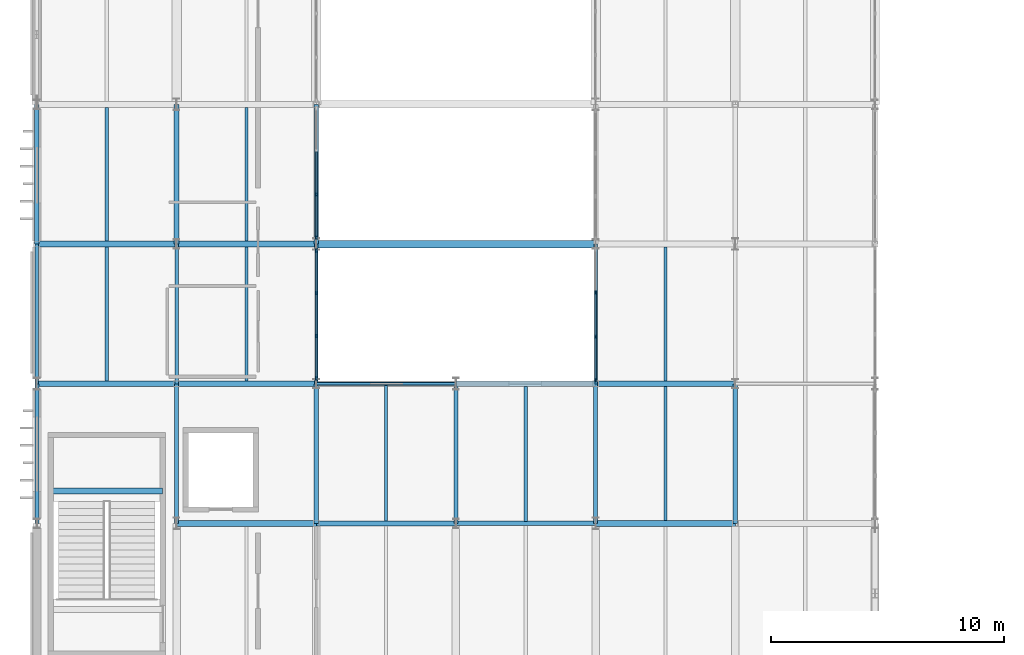
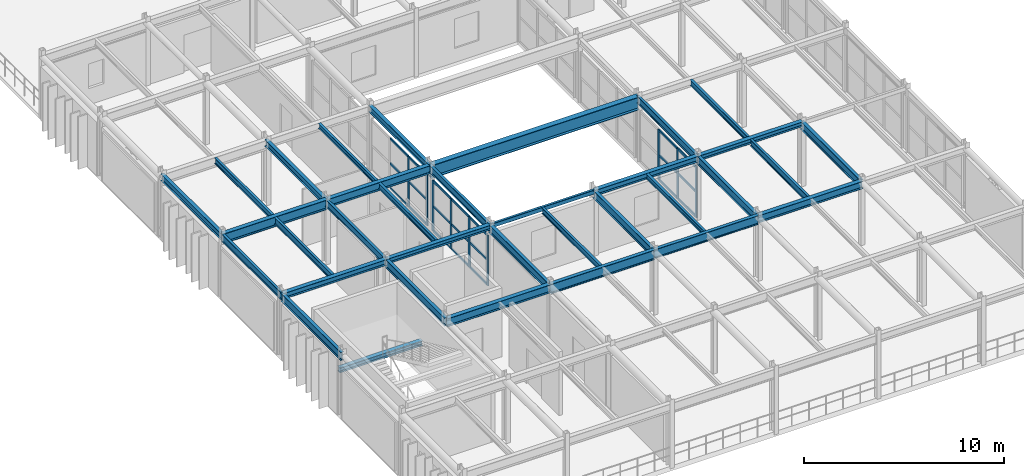
# One storey, part 13 of 83: 34 beams, 30 members, 3 elements without a shape of their own.
"""IFC4 building model written with IfcOpenShell, lengths in metres."""

from ifc_helpers import new_model, si_unit, direction, frame, origin, origin_2d, place, context, subcontext, project, spatial, rectangle, hollow_rectangle, i_section, extrude, material, material_profile, profile_set, type_object, element, aggregate, save


model = new_model("IFC4")

# Units and contexts
model_context = context("Model", 3, precision=1e-05, world=origin(), true_north=direction((0.0, 1.0)))
body_context = subcontext(model_context, "Body", "Model", "MODEL_VIEW")
ifc_project = project(units=[si_unit("LENGTHUNIT", "METRE"), si_unit("AREAUNIT", "SQUARE_METRE"), si_unit("VOLUMEUNIT", "CUBIC_METRE"), si_unit("PLANEANGLEUNIT", "RADIAN"), si_unit("MASSUNIT", "GRAM", prefix="KILO")], contexts=[model_context])

# Site, building, storey
site_placement = place(None, origin())
site = spatial("IfcSite", under=ifc_project, at=site_placement, CompositionType="ELEMENT")
building_placement = place(site_placement, origin())
building = spatial("IfcBuilding", under=site, at=building_placement, Name="Varnakota Square Police Headquarters", CompositionType="ELEMENT")
storey_placement = place(building_placement, frame((0.0, 0.0, 18.0)))
storey = spatial("IfcBuildingStorey", under=building, at=storey_placement, Name="L04", CompositionType="ELEMENT", Elevation=18.0)

# Beams
ifc_material_1 = material(Name="Steel IS 2062 Grade 350", Category="steel")
ifc_material_profile_1 = material_profile(ifc_material_1, i_section(OverallWidth=0.320068359375, OverallDepth=0.800048828125, WebThickness=0.01611328125, FlangeThickness=0.028076171875, at=origin_2d()), Name="BPG 800x320")
ifc_profile_set_1 = profile_set([ifc_material_profile_1], Name="Steel IS 2062 Grade 350")
beam_type_1 = type_object("IfcBeamType", Name="BM-BPG800", PredefinedType="BEAM", material=ifc_profile_set_1)
beam_1_placement = place(storey_placement, frame((18.0, 45.0, 3.5), z_axis=(1.0, 0.0, 0.0), x_axis=(0.0, 1.0, 0.0)))
element("IfcBeam", 1, at=beam_1_placement, inside=storey, type_object=beam_type_1, Name="BMG-L04-2907", PredefinedType="BEAM", context=body_context, shape_type="SweptSolid", body=[
    extrude(i_section(OverallWidth=0.320068359375, OverallDepth=0.800048828125, WebThickness=0.01611328125, FlangeThickness=0.028076171875, at=origin_2d()), origin(), (0.0, 0.0, 1.0), 12.0),
])
ifc_material_profile_2 = material_profile(ifc_material_1, hollow_rectangle(XDim=0.14990234375, YDim=0.25, WallThickness=0.010009765625, InnerFilletRadius=0.010009765625, OuterFilletRadius=0.02001953125, at=origin_2d()), Name="RHS 250x150x10")
ifc_profile_set_2 = profile_set([ifc_material_profile_2], Name="Steel IS 2062 Grade 350")
beam_type_2 = type_object("IfcBeamType", Name="BM-CBEAM-RHS250", PredefinedType="BEAM", material=ifc_profile_set_2)
beam_2_placement = place(storey_placement, frame((18.0, 39.0, 3.77490234375), z_axis=(1.0, 0.0, 0.0), x_axis=(0.0, 1.0, 0.0)))
element("IfcBeam", 2, at=beam_2_placement, inside=storey, type_object=beam_type_2, Name="BMG-L04-2897", PredefinedType="BEAM", context=body_context, shape_type="SweptSolid", body=[
    extrude(hollow_rectangle(XDim=0.14990234375, YDim=0.25, WallThickness=0.010009765625, InnerFilletRadius=0.010009765625, OuterFilletRadius=0.02001953125, at=origin_2d()), origin(), (0.0, 0.0, 1.0), 6.0),
])
ifc_material_profile_3 = material_profile(ifc_material_1, i_section(OverallWidth=0.25, OverallDepth=0.300048828125, WebThickness=0.009521484375, FlangeThickness=0.010498046875, FilletRadius=0.011962890625, at=origin_2d()), Name="ISHB 300")
ifc_profile_set_3 = profile_set([ifc_material_profile_3], Name="Steel IS 2062 Grade 350")
beam_type_3 = type_object("IfcBeamType", Name="BM-ISHB300", PredefinedType="BEAM", material=ifc_profile_set_3)
for number, where, z_axis, x_axis, name in (
    (3, (12.0, 39.0, 3.75), (1.0, 0.0, 0.0), (0.0, 1.0, 0.0), "BMG-L04-2896"),
    (4, (30.0, 39.0, 3.75), (1.0, 0.0, 0.0), (0.0, 1.0, 0.0), "BMG-L04-2899"),
):
    element("IfcBeam", number, at=place(storey_placement, frame(where, z_axis=z_axis, x_axis=x_axis)), inside=storey, type_object=beam_type_3, Name=name, PredefinedType="BEAM", context=body_context, shape_type="SweptSolid", body=[
        extrude(i_section(OverallWidth=0.25, OverallDepth=0.300048828125, WebThickness=0.009521484375, FlangeThickness=0.010498046875, FilletRadius=0.011962890625, at=origin_2d()), origin(), (0.0, 0.0, 1.0), 6.0),
    ])
beam_3_placement = place(storey_placement, frame((6.60009765625, 34.400634765625, 1.783935546875), z_axis=(1.0, 0.0, 0.0), x_axis=(0.0, 1.0, 0.0)))
element("IfcBeam", 5, at=beam_3_placement, inside=storey, type_object=beam_type_3, Name="Stair landing support beam BM-LND-0055", PredefinedType="BEAM", context=body_context, shape_type="SweptSolid", body=[
    extrude(i_section(OverallWidth=0.25, OverallDepth=0.300048828125, WebThickness=0.009521484375, FlangeThickness=0.010498046875, FilletRadius=0.011962890625, at=origin_2d()), origin(), (0.0, 0.0, 1.0), 4.7998046875),
])
ifc_material_profile_4 = material_profile(ifc_material_1, i_section(OverallWidth=0.25, OverallDepth=0.35009765625, WebThickness=0.010009765625, FlangeThickness=0.01171875, FilletRadius=0.011962890625, at=origin_2d()), Name="ISHB 350")
ifc_profile_set_4 = profile_set([ifc_material_profile_4], Name="Steel IS 2062 Grade 350")
beam_type_4 = type_object("IfcBeamType", Name="BM-ISHB350", PredefinedType="BEAM", material=ifc_profile_set_4)
for number, where, z_axis, x_axis, name in (
    (6, (6.0, 39.0, 3.72509765625), (1.0, 0.0, 0.0), (0.0, 1.0, 0.0), "BMG-L04-2895"),
    (7, (24.0, 39.0, 3.72509765625), (1.0, 0.0, 0.0), (0.0, 1.0, 0.0), "BMG-L04-2898"),
):
    element("IfcBeam", number, at=place(storey_placement, frame(where, z_axis=z_axis, x_axis=x_axis)), inside=storey, type_object=beam_type_4, Name=name, PredefinedType="BEAM", context=body_context, shape_type="SweptSolid", body=[
        extrude(i_section(OverallWidth=0.25, OverallDepth=0.35009765625, WebThickness=0.010009765625, FlangeThickness=0.01171875, FilletRadius=0.011962890625, at=origin_2d()), origin(), (0.0, 0.0, 1.0), 6.0),
    ])
ifc_material_profile_5 = material_profile(ifc_material_1, i_section(OverallWidth=0.25, OverallDepth=0.449951171875, WebThickness=0.01123046875, FlangeThickness=0.013671875, FilletRadius=0.014892578125, at=origin_2d()), Name="ISHB 450")
ifc_profile_set_5 = profile_set([ifc_material_profile_5], Name="Steel IS 2062 Grade 350")
beam_type_5 = type_object("IfcBeamType", Name="BM-ISHB450", PredefinedType="BEAM", material=ifc_profile_set_5)
beam_4_placement = place(storey_placement, frame((30.0, 33.0, 3.675048828125), z_axis=(1.0, 0.0, 0.0), x_axis=(0.0, 1.0, 0.0)))
element("IfcBeam", 8, at=beam_4_placement, inside=storey, type_object=beam_type_5, Name="BMG-L04-2890", PredefinedType="BEAM", context=body_context, shape_type="SweptSolid", body=[
    extrude(i_section(OverallWidth=0.25, OverallDepth=0.449951171875, WebThickness=0.01123046875, FlangeThickness=0.013671875, FilletRadius=0.014892578125, at=origin_2d()), origin(), (0.0, 0.0, 1.0), 6.0),
])
ifc_material_profile_6 = material_profile(ifc_material_1, i_section(OverallWidth=0.139892578125, OverallDepth=0.300048828125, WebThickness=0.0078125, FlangeThickness=0.01318359375, FilletRadius=0.013916015625, at=origin_2d()), Name="ISMB 300")
ifc_profile_set_6 = profile_set([ifc_material_profile_6], Name="Steel IS 2062 Grade 350")
beam_type_6 = type_object("IfcBeamType", Name="BM-ISMB300", PredefinedType="JOIST", material=ifc_profile_set_6)
beam_5_placement = place(storey_placement, frame((15.0, 45.123046875, 3.75), z_axis=(0.0, 1.0, 0.0), x_axis=(-1.0, 0.0, 0.0)))
element("IfcBeam", 9, at=beam_5_placement, inside=storey, type_object=beam_type_6, Name="BMG-L04-3030", PredefinedType="JOIST", context=body_context, shape_type="SweptSolid", body=[
    extrude(i_section(OverallWidth=0.139892578125, OverallDepth=0.300048828125, WebThickness=0.0078125, FlangeThickness=0.01318359375, FilletRadius=0.013916015625, at=origin_2d()), origin(), (0.0, 0.0, 1.0), 5.75390625),
])
beam_6_placement = place(storey_placement, frame((27.0, 33.093017578125, 3.75), z_axis=(0.0, 1.0, 0.0), x_axis=(-1.0, 0.0, 0.0)))
element("IfcBeam", 10, at=beam_6_placement, inside=storey, type_object=beam_type_6, Name="BMG-L04-3039", PredefinedType="JOIST", context=body_context, shape_type="SweptSolid", body=[
    extrude(i_section(OverallWidth=0.139892578125, OverallDepth=0.300048828125, WebThickness=0.0078125, FlangeThickness=0.01318359375, FilletRadius=0.013916015625, at=origin_2d()), origin(), (0.0, 0.0, 1.0), 5.783935546875),
])
ifc_material_profile_7 = material_profile(ifc_material_1, i_section(OverallWidth=0.139892578125, OverallDepth=0.35009765625, WebThickness=0.008056640625, FlangeThickness=0.01416015625, FilletRadius=0.013916015625, at=origin_2d()), Name="ISMB 350")
ifc_profile_set_7 = profile_set([ifc_material_profile_7], Name="Steel IS 2062 Grade 350")
beam_type_7 = type_object("IfcBeamType", Name="BM-ISMB350", PredefinedType="JOIST", material=ifc_profile_set_7)
for number, where, z_axis, x_axis, name in (
    (11, (9.0, 45.123046875, 3.72509765625), (0.0, 1.0, 0.0), (-1.0, 0.0, 0.0), "BMG-L04-3024"),
    (12, (15.0, 39.123046875, 3.72509765625), (0.0, 1.0, 0.0), (-1.0, 0.0, 0.0), "BMG-L04-3029"),
):
    element("IfcBeam", number, at=place(storey_placement, frame(where, z_axis=z_axis, x_axis=x_axis)), inside=storey, type_object=beam_type_7, Name=name, PredefinedType="JOIST", context=body_context, shape_type="SweptSolid", body=[
        extrude(i_section(OverallWidth=0.139892578125, OverallDepth=0.35009765625, WebThickness=0.008056640625, FlangeThickness=0.01416015625, FilletRadius=0.013916015625, at=origin_2d()), origin(), (0.0, 0.0, 1.0), 5.75390625),
    ])
beam_7_placement = place(storey_placement, frame((21.0, 33.10302734375, 3.72509765625), z_axis=(0.0, 1.0, 0.0), x_axis=(-1.0, 0.0, 0.0)))
element("IfcBeam", 13, at=beam_7_placement, inside=storey, type_object=beam_type_7, Name="BMG-L04-3035", PredefinedType="JOIST", context=body_context, shape_type="SweptSolid", body=[
    extrude(i_section(OverallWidth=0.139892578125, OverallDepth=0.35009765625, WebThickness=0.008056640625, FlangeThickness=0.01416015625, FilletRadius=0.013916015625, at=origin_2d()), origin(), (0.0, 0.0, 1.0), 5.823974609375),
])
beam_8_placement = place(storey_placement, frame((33.0, 39.123046875, 3.72509765625), z_axis=(0.0, 1.0, 0.0), x_axis=(-1.0, 0.0, 0.0)))
element("IfcBeam", 14, at=beam_8_placement, inside=storey, type_object=beam_type_7, Name="BMG-L04-3044", PredefinedType="JOIST", context=body_context, shape_type="SweptSolid", body=[
    extrude(i_section(OverallWidth=0.139892578125, OverallDepth=0.35009765625, WebThickness=0.008056640625, FlangeThickness=0.01416015625, FilletRadius=0.013916015625, at=origin_2d()), origin(), (0.0, 0.0, 1.0), 5.75390625),
])
ifc_material_profile_8 = material_profile(ifc_material_1, i_section(OverallWidth=0.139892578125, OverallDepth=0.39990234375, WebThickness=0.0087890625, FlangeThickness=0.01611328125, FilletRadius=0.013916015625, at=origin_2d()), Name="ISMB 400")
ifc_profile_set_8 = profile_set([ifc_material_profile_8], Name="Steel IS 2062 Grade 350")
beam_type_8 = type_object("IfcBeamType", Name="BM-ISMB400", PredefinedType="JOIST", material=ifc_profile_set_8)
for number, where, z_axis, x_axis, name in (
    (15, (9.0, 39.123046875, 3.699951171875), (0.0, 1.0, 0.0), (-1.0, 0.0, 0.0), "BMG-L04-3023"),
    (16, (33.0, 33.123046875, 3.699951171875), (0.0, 1.0, 0.0), (-1.0, 0.0, 0.0), "BMG-L04-3043"),
):
    element("IfcBeam", number, at=place(storey_placement, frame(where, z_axis=z_axis, x_axis=x_axis)), inside=storey, type_object=beam_type_8, Name=name, PredefinedType="JOIST", context=body_context, shape_type="SweptSolid", body=[
        extrude(i_section(OverallWidth=0.139892578125, OverallDepth=0.39990234375, WebThickness=0.0087890625, FlangeThickness=0.01611328125, FilletRadius=0.013916015625, at=origin_2d()), origin(), (0.0, 0.0, 1.0), 5.75390625),
    ])
ifc_material_profile_9 = material_profile(ifc_material_1, i_section(OverallWidth=0.14990234375, OverallDepth=0.449951171875, WebThickness=0.009521484375, FlangeThickness=0.017333984375, FilletRadius=0.014892578125, at=origin_2d()), Name="ISMB 450")
ifc_profile_set_9 = profile_set([ifc_material_profile_9], Name="Steel IS 2062 Grade 350")
beam_type_9 = type_object("IfcBeamType", Name="BM-ISMB450", PredefinedType="BEAM", material=ifc_profile_set_9)
for number, where, z_axis, x_axis, name in (
    (17, (6.0, 39.0, 3.675048828125), (0.0, 1.0, 0.0), (-1.0, 0.0, 0.0), "BMG-L04-2933"),
    (18, (12.0, 39.0, 3.675048828125), (0.0, 1.0, 0.0), (-1.0, 0.0, 0.0), "BMG-L04-2940"),
    (19, (18.0, 39.0, 3.675048828125), (0.0, 1.0, 0.0), (-1.0, 0.0, 0.0), "BMG-L04-2947"),
    (20, (30.0, 39.0, 3.675048828125), (0.0, 1.0, 0.0), (-1.0, 0.0, 0.0), "BMG-L04-2958"),
):
    element("IfcBeam", number, at=place(storey_placement, frame(where, z_axis=z_axis, x_axis=x_axis)), inside=storey, type_object=beam_type_9, Name=name, PredefinedType="BEAM", context=body_context, shape_type="SweptSolid", body=[
        extrude(i_section(OverallWidth=0.14990234375, OverallDepth=0.449951171875, WebThickness=0.009521484375, FlangeThickness=0.017333984375, FilletRadius=0.014892578125, at=origin_2d()), origin(), (0.0, 0.0, 1.0), 6.0),
    ])
ifc_material_profile_10 = material_profile(ifc_material_1, i_section(OverallWidth=0.179931640625, OverallDepth=0.5, WebThickness=0.01025390625, FlangeThickness=0.01708984375, FilletRadius=0.01708984375, at=origin_2d()), Name="ISMB 500")
ifc_profile_set_10 = profile_set([ifc_material_profile_10], Name="Steel IS 2062 Grade 350")
beam_type_10 = type_object("IfcBeamType", Name="BM-ISMB500", PredefinedType="BEAM", material=ifc_profile_set_10)
for number, where, z_axis, x_axis, name in (
    (21, (6.0, 33.0, 3.64990234375), (0.0, 1.0, 0.0), (-1.0, 0.0, 0.0), "BMG-L04-2932"),
    (22, (12.0, 33.0, 3.64990234375), (0.0, 1.0, 0.0), (-1.0, 0.0, 0.0), "BMG-L04-2939"),
    (23, (18.0, 33.0, 3.64990234375), (0.0, 1.0, 0.0), (-1.0, 0.0, 0.0), "BMG-L04-2946"),
    (24, (24.0, 33.0, 3.64990234375), (0.0, 1.0, 0.0), (-1.0, 0.0, 0.0), "BMG-L04-2953"),
    (25, (30.0, 33.0, 3.64990234375), (0.0, 1.0, 0.0), (-1.0, 0.0, 0.0), "BMG-L04-2957"),
    (26, (36.0, 33.0, 3.64990234375), (0.0, 1.0, 0.0), (-1.0, 0.0, 0.0), "BMG-L04-2964"),
):
    element("IfcBeam", number, at=place(storey_placement, frame(where, z_axis=z_axis, x_axis=x_axis)), inside=storey, type_object=beam_type_10, Name=name, PredefinedType="BEAM", context=body_context, shape_type="SweptSolid", body=[
        extrude(i_section(OverallWidth=0.179931640625, OverallDepth=0.5, WebThickness=0.01025390625, FlangeThickness=0.01708984375, FilletRadius=0.01708984375, at=origin_2d()), origin(), (0.0, 0.0, 1.0), 6.0),
    ])
ifc_material_profile_11 = material_profile(ifc_material_1, i_section(OverallWidth=0.18994140625, OverallDepth=0.550048828125, WebThickness=0.01123046875, FlangeThickness=0.019287109375, FilletRadius=0.01806640625, at=origin_2d()), Name="ISMB 550")
ifc_profile_set_11 = profile_set([ifc_material_profile_11], Name="Steel IS 2062 Grade 350")
beam_type_11 = type_object("IfcBeamType", Name="BM-ISMB550", PredefinedType="BEAM", material=ifc_profile_set_11)
beam_9_placement = place(storey_placement, frame((24.0, 33.0, 3.625), z_axis=(1.0, 0.0, 0.0), x_axis=(0.0, 1.0, 0.0)))
element("IfcBeam", 27, at=beam_9_placement, inside=storey, type_object=beam_type_11, Name="BMG-L04-2889", PredefinedType="BEAM", context=body_context, shape_type="SweptSolid", body=[
    extrude(i_section(OverallWidth=0.18994140625, OverallDepth=0.550048828125, WebThickness=0.01123046875, FlangeThickness=0.019287109375, FilletRadius=0.01806640625, at=origin_2d()), origin(), (0.0, 0.0, 1.0), 6.0),
])
ifc_material_profile_12 = material_profile(ifc_material_1, i_section(OverallWidth=0.2099609375, OverallDepth=0.60009765625, WebThickness=0.011962890625, FlangeThickness=0.020751953125, FilletRadius=0.02001953125, at=origin_2d()), Name="ISMB 600")
ifc_profile_set_12 = profile_set([ifc_material_profile_12], Name="Steel IS 2062 Grade 350")
beam_type_12 = type_object("IfcBeamType", Name="BM-ISMB600", PredefinedType="BEAM", material=ifc_profile_set_12)
beam_10_placement = place(storey_placement, frame((18.0, 33.0, 3.60009765625), z_axis=(1.0, 0.0, 0.0), x_axis=(0.0, 1.0, 0.0)))
element("IfcBeam", 28, at=beam_10_placement, inside=storey, type_object=beam_type_12, Name="BMG-L04-2888", PredefinedType="BEAM", context=body_context, shape_type="SweptSolid", body=[
    extrude(i_section(OverallWidth=0.2099609375, OverallDepth=0.60009765625, WebThickness=0.011962890625, FlangeThickness=0.020751953125, FilletRadius=0.02001953125, at=origin_2d()), origin(), (0.0, 0.0, 1.0), 6.0),
])
ifc_material_profile_13 = material_profile(ifc_material_1, i_section(OverallWidth=0.199951171875, OverallDepth=0.39990234375, WebThickness=0.008544921875, FlangeThickness=0.012939453125, FilletRadius=0.012939453125, at=origin_2d()), Name="ISWB 400")
ifc_profile_set_13 = profile_set([ifc_material_profile_13], Name="Steel IS 2062 Grade 350")
beam_type_13 = type_object("IfcBeamType", Name="BM-ISWB400", PredefinedType="BEAM", material=ifc_profile_set_13)
for number, where, z_axis, x_axis, name in (
    (29, (6.0, 45.0, 3.699951171875), (0.0, 1.0, 0.0), (-1.0, 0.0, 0.0), "BMG-L04-2934"),
    (30, (12.0, 45.0, 3.699951171875), (0.0, 1.0, 0.0), (-1.0, 0.0, 0.0), "BMG-L04-2941"),
    (31, (18.0, 45.0, 3.699951171875), (0.0, 1.0, 0.0), (-1.0, 0.0, 0.0), "BMG-L04-2948"),
):
    element("IfcBeam", number, at=place(storey_placement, frame(where, z_axis=z_axis, x_axis=x_axis)), inside=storey, type_object=beam_type_13, Name=name, PredefinedType="BEAM", context=body_context, shape_type="SweptSolid", body=[
        extrude(i_section(OverallWidth=0.199951171875, OverallDepth=0.39990234375, WebThickness=0.008544921875, FlangeThickness=0.012939453125, FilletRadius=0.012939453125, at=origin_2d()), origin(), (0.0, 0.0, 1.0), 6.0),
    ])
ifc_material_profile_14 = material_profile(ifc_material_1, i_section(OverallWidth=0.25, OverallDepth=0.5, WebThickness=0.010009765625, FlangeThickness=0.0146484375, FilletRadius=0.014892578125, at=origin_2d()), Name="ISWB 500")
ifc_profile_set_14 = profile_set([ifc_material_profile_14], Name="Steel IS 2062 Grade 350")
beam_type_14 = type_object("IfcBeamType", Name="BM-ISWB500", PredefinedType="BEAM", material=ifc_profile_set_14)
for number, where, z_axis, x_axis, name in (
    (32, (12.0, 33.0, 3.64990234375), (1.0, 0.0, 0.0), (0.0, 1.0, 0.0), "BMG-L04-2887"),
    (33, (12.0, 45.0, 3.64990234375), (1.0, 0.0, 0.0), (0.0, 1.0, 0.0), "BMG-L04-2906"),
):
    element("IfcBeam", number, at=place(storey_placement, frame(where, z_axis=z_axis, x_axis=x_axis)), inside=storey, type_object=beam_type_14, Name=name, PredefinedType="BEAM", context=body_context, shape_type="SweptSolid", body=[
        extrude(i_section(OverallWidth=0.25, OverallDepth=0.5, WebThickness=0.010009765625, FlangeThickness=0.0146484375, FilletRadius=0.014892578125, at=origin_2d()), origin(), (0.0, 0.0, 1.0), 6.0),
    ])
ifc_material_profile_15 = material_profile(ifc_material_1, i_section(OverallWidth=0.25, OverallDepth=0.60009765625, WebThickness=0.01171875, FlangeThickness=0.023681640625, FilletRadius=0.01708984375, at=origin_2d()), Name="ISWB 600")
ifc_profile_set_15 = profile_set([ifc_material_profile_15], Name="Steel IS 2062 Grade 350")
beam_type_15 = type_object("IfcBeamType", Name="BM-ISWB600", PredefinedType="BEAM", material=ifc_profile_set_15)
beam_11_placement = place(storey_placement, frame((6.0, 45.0, 3.60009765625), z_axis=(1.0, 0.0, 0.0), x_axis=(0.0, 1.0, 0.0)))
element("IfcBeam", 34, at=beam_11_placement, inside=storey, type_object=beam_type_15, Name="BMG-L04-2905", PredefinedType="BEAM", context=body_context, shape_type="SweptSolid", body=[
    extrude(i_section(OverallWidth=0.25, OverallDepth=0.60009765625, WebThickness=0.01171875, FlangeThickness=0.023681640625, FilletRadius=0.01708984375, at=origin_2d()), origin(), (0.0, 0.0, 1.0), 6.0),
])

# Curtain wall, members
ifc_material_2 = material(Name="Anodised Aluminium Framing", Category="aluminium")
curtain_wall_type = type_object("IfcCurtainWallType", Name="CW-SYS-F", PredefinedType="NOTDEFINED", material=ifc_material_2)
curtain_wall_1_placement = place(storey_placement, origin())
curtain_wall_1 = element("IfcCurtainWall", 35, at=curtain_wall_1_placement, inside=storey, type_object=curtain_wall_type, Name="Unitised curtain wall CWG-L04-186", PredefinedType="NOTDEFINED")
ifc_material_3 = material(Name="Anodised Aluminium 6063-T6", Category="aluminium")
ifc_material_profile_16 = material_profile(ifc_material_3, rectangle(XDim=0.06494140625, YDim=0.159912109375, at=origin_2d()), Name="ALU MULLION 65x160")
ifc_profile_set_16 = profile_set([ifc_material_profile_16], Name="Anodised Aluminium 6063-T6")
member_type_1 = type_object("IfcMemberType", Name="CWM-150", PredefinedType="MULLION", material=ifc_profile_set_16)
member_1_placement = place(storey_placement, frame((18.0, 39.237548828125, 0.0), z_axis=(0.0, 0.0, 1.0), x_axis=(-1.0, 0.0, 0.0)))
member_1 = element("IfcMember", 36, at=member_1_placement, type_object=member_type_1, Name="CWG-L04-186 mullion 1", PredefinedType="MULLION", context=body_context, shape_type="SweptSolid", body=[
    extrude(rectangle(XDim=0.06494140625, YDim=0.159912109375, at=origin_2d()), origin(), (0.0, 0.0, 1.0), 3.090087890625),
])
member_2_placement = place(storey_placement, frame((18.0, 41.0517578125, 0.0), z_axis=(0.0, 0.0, 1.0), x_axis=(-1.0, 0.0, 0.0)))
member_2 = element("IfcMember", 37, at=member_2_placement, type_object=member_type_1, Name="CWG-L04-186 mullion 2", PredefinedType="MULLION", context=body_context, shape_type="SweptSolid", body=[
    extrude(rectangle(XDim=0.06494140625, YDim=0.159912109375, at=origin_2d()), origin(), (0.0, 0.0, 1.0), 3.090087890625),
])
member_3_placement = place(storey_placement, frame((18.0, 42.8984375, 0.0), z_axis=(0.0, 0.0, 1.0), x_axis=(-1.0, 0.0, 0.0)))
member_3 = element("IfcMember", 38, at=member_3_placement, type_object=member_type_1, Name="CWG-L04-186 mullion 3", PredefinedType="MULLION", context=body_context, shape_type="SweptSolid", body=[
    extrude(rectangle(XDim=0.06494140625, YDim=0.159912109375, at=origin_2d()), origin(), (0.0, 0.0, 1.0), 3.090087890625),
])
member_4_placement = place(storey_placement, frame((18.0, 44.71240234375, 0.0), z_axis=(0.0, 0.0, 1.0), x_axis=(-1.0, 0.0, 0.0)))
member_4 = element("IfcMember", 39, at=member_4_placement, type_object=member_type_1, Name="CWG-L04-186 mullion 4", PredefinedType="MULLION", context=body_context, shape_type="SweptSolid", body=[
    extrude(rectangle(XDim=0.06494140625, YDim=0.159912109375, at=origin_2d()), origin(), (0.0, 0.0, 1.0), 3.090087890625),
])

curtain_wall_2_placement = place(storey_placement, origin())
curtain_wall_2 = element("IfcCurtainWall", 40, at=curtain_wall_2_placement, inside=storey, type_object=curtain_wall_type, Name="Unitised curtain wall CWG-L04-187", PredefinedType="NOTDEFINED")
member_5_placement = place(storey_placement, frame((30.0, 39.16259765625, 0.0), z_axis=(0.0, 0.0, 1.0), x_axis=(-1.0, 0.0, 0.0)))
member_5 = element("IfcMember", 41, at=member_5_placement, type_object=member_type_1, Name="CWG-L04-187 mullion 1", PredefinedType="MULLION", context=body_context, shape_type="SweptSolid", body=[
    extrude(rectangle(XDim=0.06494140625, YDim=0.159912109375, at=origin_2d()), origin(), (0.0, 0.0, 1.0), 3.090087890625),
])
member_6_placement = place(storey_placement, frame((30.0, 41.018310546875, 0.0), z_axis=(0.0, 0.0, 1.0), x_axis=(-1.0, 0.0, 0.0)))
member_6 = element("IfcMember", 42, at=member_6_placement, type_object=member_type_1, Name="CWG-L04-187 mullion 2", PredefinedType="MULLION", context=body_context, shape_type="SweptSolid", body=[
    extrude(rectangle(XDim=0.06494140625, YDim=0.159912109375, at=origin_2d()), origin(), (0.0, 0.0, 1.0), 3.090087890625),
])
member_7_placement = place(storey_placement, frame((30.0, 42.90673828125, 0.0), z_axis=(0.0, 0.0, 1.0), x_axis=(-1.0, 0.0, 0.0)))
member_7 = element("IfcMember", 43, at=member_7_placement, type_object=member_type_1, Name="CWG-L04-187 mullion 3", PredefinedType="MULLION", context=body_context, shape_type="SweptSolid", body=[
    extrude(rectangle(XDim=0.06494140625, YDim=0.159912109375, at=origin_2d()), origin(), (0.0, 0.0, 1.0), 3.090087890625),
])

curtain_wall_3_placement = place(storey_placement, origin())
curtain_wall_3 = element("IfcCurtainWall", 44, at=curtain_wall_3_placement, inside=storey, type_object=curtain_wall_type, Name="Unitised curtain wall CWG-L04-188", PredefinedType="NOTDEFINED")
member_8_placement = place(storey_placement, frame((18.0, 45.28759765625, 0.0), z_axis=(0.0, 0.0, 1.0), x_axis=(-1.0, 0.0, 0.0)))
member_8 = element("IfcMember", 45, at=member_8_placement, type_object=member_type_1, Name="CWG-L04-188 mullion 1", PredefinedType="MULLION", context=body_context, shape_type="SweptSolid", body=[
    extrude(rectangle(XDim=0.06494140625, YDim=0.159912109375, at=origin_2d()), origin(), (0.0, 0.0, 1.0), 3.090087890625),
])
member_9_placement = place(storey_placement, frame((18.0, 47.126708984375, 0.0), z_axis=(0.0, 0.0, 1.0), x_axis=(-1.0, 0.0, 0.0)))
member_9 = element("IfcMember", 46, at=member_9_placement, type_object=member_type_1, Name="CWG-L04-188 mullion 2", PredefinedType="MULLION", context=body_context, shape_type="SweptSolid", body=[
    extrude(rectangle(XDim=0.06494140625, YDim=0.159912109375, at=origin_2d()), origin(), (0.0, 0.0, 1.0), 3.090087890625),
])

# Member
ifc_material_profile_17 = material_profile(ifc_material_3, rectangle(XDim=0.06494140625, YDim=0.1298828125, at=origin_2d()), Name="ALU TRANSOM 65x130")
ifc_profile_set_17 = profile_set([ifc_material_profile_17], Name="Anodised Aluminium 6063-T6")
member_type_2 = type_object("IfcMemberType", Name="CWT-120", PredefinedType="USERDEFINED", material=ifc_profile_set_17)
member_10_placement = place(storey_placement, frame((18.0, 39.27001953125, 0.032470703125), z_axis=(0.0, 1.0, 0.0), x_axis=(-1.0, 0.0, 0.0)))
member_10 = element("IfcMember", 47, at=member_10_placement, type_object=member_type_2, Name="CWG-L04-186 transom 1.1", ObjectType="TRANSOM", PredefinedType="USERDEFINED", context=body_context, shape_type="SweptSolid", body=[
    extrude(rectangle(XDim=0.06494140625, YDim=0.1298828125, at=origin_2d()), origin(), (0.0, 0.0, 1.0), 1.749267578125),
])

member_11_placement = place(storey_placement, frame((18.0, 39.27001953125, 1.544921875), z_axis=(0.0, 1.0, 0.0), x_axis=(-1.0, 0.0, 0.0)))
member_11 = element("IfcMember", 48, at=member_11_placement, type_object=member_type_2, Name="CWG-L04-186 transom 1.2", ObjectType="TRANSOM", PredefinedType="USERDEFINED", context=body_context, shape_type="SweptSolid", body=[
    extrude(rectangle(XDim=0.06494140625, YDim=0.1298828125, at=origin_2d()), origin(), (0.0, 0.0, 1.0), 1.749267578125),
])

member_12_placement = place(storey_placement, frame((18.0, 39.27001953125, 3.0576171875), z_axis=(0.0, 1.0, 0.0), x_axis=(-1.0, 0.0, 0.0)))
member_12 = element("IfcMember", 49, at=member_12_placement, type_object=member_type_2, Name="CWG-L04-186 transom 1.3", ObjectType="TRANSOM", PredefinedType="USERDEFINED", context=body_context, shape_type="SweptSolid", body=[
    extrude(rectangle(XDim=0.06494140625, YDim=0.1298828125, at=origin_2d()), origin(), (0.0, 0.0, 1.0), 1.749267578125),
])

member_13_placement = place(storey_placement, frame((18.0, 41.084228515625, 0.032470703125), z_axis=(0.0, 1.0, 0.0), x_axis=(-1.0, 0.0, 0.0)))
member_13 = element("IfcMember", 50, at=member_13_placement, type_object=member_type_2, Name="CWG-L04-186 transom 2.1", ObjectType="TRANSOM", PredefinedType="USERDEFINED", context=body_context, shape_type="SweptSolid", body=[
    extrude(rectangle(XDim=0.06494140625, YDim=0.1298828125, at=origin_2d()), origin(), (0.0, 0.0, 1.0), 1.781494140625),
])

member_14_placement = place(storey_placement, frame((18.0, 41.084228515625, 1.544921875), z_axis=(0.0, 1.0, 0.0), x_axis=(-1.0, 0.0, 0.0)))
member_14 = element("IfcMember", 51, at=member_14_placement, type_object=member_type_2, Name="CWG-L04-186 transom 2.2", ObjectType="TRANSOM", PredefinedType="USERDEFINED", context=body_context, shape_type="SweptSolid", body=[
    extrude(rectangle(XDim=0.06494140625, YDim=0.1298828125, at=origin_2d()), origin(), (0.0, 0.0, 1.0), 1.781494140625),
])

member_15_placement = place(storey_placement, frame((18.0, 41.084228515625, 3.0576171875), z_axis=(0.0, 1.0, 0.0), x_axis=(-1.0, 0.0, 0.0)))
member_15 = element("IfcMember", 52, at=member_15_placement, type_object=member_type_2, Name="CWG-L04-186 transom 2.3", ObjectType="TRANSOM", PredefinedType="USERDEFINED", context=body_context, shape_type="SweptSolid", body=[
    extrude(rectangle(XDim=0.06494140625, YDim=0.1298828125, at=origin_2d()), origin(), (0.0, 0.0, 1.0), 1.781494140625),
])

member_16_placement = place(storey_placement, frame((18.0, 42.930908203125, 0.032470703125), z_axis=(0.0, 1.0, 0.0), x_axis=(-1.0, 0.0, 0.0)))
member_16 = element("IfcMember", 53, at=member_16_placement, type_object=member_type_2, Name="CWG-L04-186 transom 3.1", ObjectType="TRANSOM", PredefinedType="USERDEFINED", context=body_context, shape_type="SweptSolid", body=[
    extrude(rectangle(XDim=0.06494140625, YDim=0.1298828125, at=origin_2d()), origin(), (0.0, 0.0, 1.0), 1.7490234375),
])

member_17_placement = place(storey_placement, frame((18.0, 42.930908203125, 1.544921875), z_axis=(0.0, 1.0, 0.0), x_axis=(-1.0, 0.0, 0.0)))
member_17 = element("IfcMember", 54, at=member_17_placement, type_object=member_type_2, Name="CWG-L04-186 transom 3.2", ObjectType="TRANSOM", PredefinedType="USERDEFINED", context=body_context, shape_type="SweptSolid", body=[
    extrude(rectangle(XDim=0.06494140625, YDim=0.1298828125, at=origin_2d()), origin(), (0.0, 0.0, 1.0), 1.7490234375),
])

member_18_placement = place(storey_placement, frame((18.0, 42.930908203125, 3.0576171875), z_axis=(0.0, 1.0, 0.0), x_axis=(-1.0, 0.0, 0.0)))
member_18 = element("IfcMember", 55, at=member_18_placement, type_object=member_type_2, Name="CWG-L04-186 transom 3.3", ObjectType="TRANSOM", PredefinedType="USERDEFINED", context=body_context, shape_type="SweptSolid", body=[
    extrude(rectangle(XDim=0.06494140625, YDim=0.1298828125, at=origin_2d()), origin(), (0.0, 0.0, 1.0), 1.7490234375),
])

aggregate(curtain_wall_1, [member_1, member_2, member_3, member_4, member_10, member_11, member_12, member_13, member_14, member_15, member_16, member_17, member_18])

member_19_placement = place(storey_placement, frame((30.0, 39.195068359375, 0.032470703125), z_axis=(0.0, 1.0, 0.0), x_axis=(-1.0, 0.0, 0.0)))
member_19 = element("IfcMember", 56, at=member_19_placement, type_object=member_type_2, Name="CWG-L04-187 transom 1.1", ObjectType="TRANSOM", PredefinedType="USERDEFINED", context=body_context, shape_type="SweptSolid", body=[
    extrude(rectangle(XDim=0.06494140625, YDim=0.1298828125, at=origin_2d()), origin(), (0.0, 0.0, 1.0), 1.790771484375),
])

member_20_placement = place(storey_placement, frame((30.0, 39.195068359375, 1.544921875), z_axis=(0.0, 1.0, 0.0), x_axis=(-1.0, 0.0, 0.0)))
member_20 = element("IfcMember", 57, at=member_20_placement, type_object=member_type_2, Name="CWG-L04-187 transom 1.2", ObjectType="TRANSOM", PredefinedType="USERDEFINED", context=body_context, shape_type="SweptSolid", body=[
    extrude(rectangle(XDim=0.06494140625, YDim=0.1298828125, at=origin_2d()), origin(), (0.0, 0.0, 1.0), 1.790771484375),
])

member_21_placement = place(storey_placement, frame((30.0, 39.195068359375, 3.0576171875), z_axis=(0.0, 1.0, 0.0), x_axis=(-1.0, 0.0, 0.0)))
member_21 = element("IfcMember", 58, at=member_21_placement, type_object=member_type_2, Name="CWG-L04-187 transom 1.3", ObjectType="TRANSOM", PredefinedType="USERDEFINED", context=body_context, shape_type="SweptSolid", body=[
    extrude(rectangle(XDim=0.06494140625, YDim=0.1298828125, at=origin_2d()), origin(), (0.0, 0.0, 1.0), 1.790771484375),
])

member_22_placement = place(storey_placement, frame((30.0, 41.05078125, 0.032470703125), z_axis=(0.0, 1.0, 0.0), x_axis=(-1.0, 0.0, 0.0)))
member_22 = element("IfcMember", 59, at=member_22_placement, type_object=member_type_2, Name="CWG-L04-187 transom 2.1", ObjectType="TRANSOM", PredefinedType="USERDEFINED", context=body_context, shape_type="SweptSolid", body=[
    extrude(rectangle(XDim=0.06494140625, YDim=0.1298828125, at=origin_2d()), origin(), (0.0, 0.0, 1.0), 1.823486328125),
])

member_23_placement = place(storey_placement, frame((30.0, 41.05078125, 1.544921875), z_axis=(0.0, 1.0, 0.0), x_axis=(-1.0, 0.0, 0.0)))
member_23 = element("IfcMember", 60, at=member_23_placement, type_object=member_type_2, Name="CWG-L04-187 transom 2.2", ObjectType="TRANSOM", PredefinedType="USERDEFINED", context=body_context, shape_type="SweptSolid", body=[
    extrude(rectangle(XDim=0.06494140625, YDim=0.1298828125, at=origin_2d()), origin(), (0.0, 0.0, 1.0), 1.823486328125),
])

member_24_placement = place(storey_placement, frame((30.0, 41.05078125, 3.0576171875), z_axis=(0.0, 1.0, 0.0), x_axis=(-1.0, 0.0, 0.0)))
member_24 = element("IfcMember", 61, at=member_24_placement, type_object=member_type_2, Name="CWG-L04-187 transom 2.3", ObjectType="TRANSOM", PredefinedType="USERDEFINED", context=body_context, shape_type="SweptSolid", body=[
    extrude(rectangle(XDim=0.06494140625, YDim=0.1298828125, at=origin_2d()), origin(), (0.0, 0.0, 1.0), 1.823486328125),
])

aggregate(curtain_wall_2, [member_5, member_6, member_7, member_19, member_20, member_21, member_22, member_23, member_24])

member_25_placement = place(storey_placement, frame((18.0, 45.320068359375, 0.032470703125), z_axis=(0.0, 1.0, 0.0), x_axis=(-1.0, 0.0, 0.0)))
member_25 = element("IfcMember", 62, at=member_25_placement, type_object=member_type_2, Name="CWG-L04-188 transom 1.1", ObjectType="TRANSOM", PredefinedType="USERDEFINED", context=body_context, shape_type="SweptSolid", body=[
    extrude(rectangle(XDim=0.06494140625, YDim=0.1298828125, at=origin_2d()), origin(), (0.0, 0.0, 1.0), 1.774169921875),
])

member_26_placement = place(storey_placement, frame((18.0, 45.320068359375, 1.544921875), z_axis=(0.0, 1.0, 0.0), x_axis=(-1.0, 0.0, 0.0)))
member_26 = element("IfcMember", 63, at=member_26_placement, type_object=member_type_2, Name="CWG-L04-188 transom 1.2", ObjectType="TRANSOM", PredefinedType="USERDEFINED", context=body_context, shape_type="SweptSolid", body=[
    extrude(rectangle(XDim=0.06494140625, YDim=0.1298828125, at=origin_2d()), origin(), (0.0, 0.0, 1.0), 1.774169921875),
])

member_27_placement = place(storey_placement, frame((18.0, 45.320068359375, 3.0576171875), z_axis=(0.0, 1.0, 0.0), x_axis=(-1.0, 0.0, 0.0)))
member_27 = element("IfcMember", 64, at=member_27_placement, type_object=member_type_2, Name="CWG-L04-188 transom 1.3", ObjectType="TRANSOM", PredefinedType="USERDEFINED", context=body_context, shape_type="SweptSolid", body=[
    extrude(rectangle(XDim=0.06494140625, YDim=0.1298828125, at=origin_2d()), origin(), (0.0, 0.0, 1.0), 1.774169921875),
])

member_28_placement = place(storey_placement, frame((18.0, 47.1591796875, 0.032470703125), z_axis=(0.0, 1.0, 0.0), x_axis=(-1.0, 0.0, 0.0)))
member_28 = element("IfcMember", 65, at=member_28_placement, type_object=member_type_2, Name="CWG-L04-188 transom 2.1", ObjectType="TRANSOM", PredefinedType="USERDEFINED", context=body_context, shape_type="SweptSolid", body=[
    extrude(rectangle(XDim=0.06494140625, YDim=0.1298828125, at=origin_2d()), origin(), (0.0, 0.0, 1.0), 1.806640625),
])

member_29_placement = place(storey_placement, frame((18.0, 47.1591796875, 1.544921875), z_axis=(0.0, 1.0, 0.0), x_axis=(-1.0, 0.0, 0.0)))
member_29 = element("IfcMember", 66, at=member_29_placement, type_object=member_type_2, Name="CWG-L04-188 transom 2.2", ObjectType="TRANSOM", PredefinedType="USERDEFINED", context=body_context, shape_type="SweptSolid", body=[
    extrude(rectangle(XDim=0.06494140625, YDim=0.1298828125, at=origin_2d()), origin(), (0.0, 0.0, 1.0), 1.806640625),
])

member_30_placement = place(storey_placement, frame((18.0, 47.1591796875, 3.0576171875), z_axis=(0.0, 1.0, 0.0), x_axis=(-1.0, 0.0, 0.0)))
member_30 = element("IfcMember", 67, at=member_30_placement, type_object=member_type_2, Name="CWG-L04-188 transom 2.3", ObjectType="TRANSOM", PredefinedType="USERDEFINED", context=body_context, shape_type="SweptSolid", body=[
    extrude(rectangle(XDim=0.06494140625, YDim=0.1298828125, at=origin_2d()), origin(), (0.0, 0.0, 1.0), 1.806640625),
])

aggregate(curtain_wall_3, [member_8, member_9, member_25, member_26, member_27, member_28, member_29, member_30])

save(model, "model.ifc")
